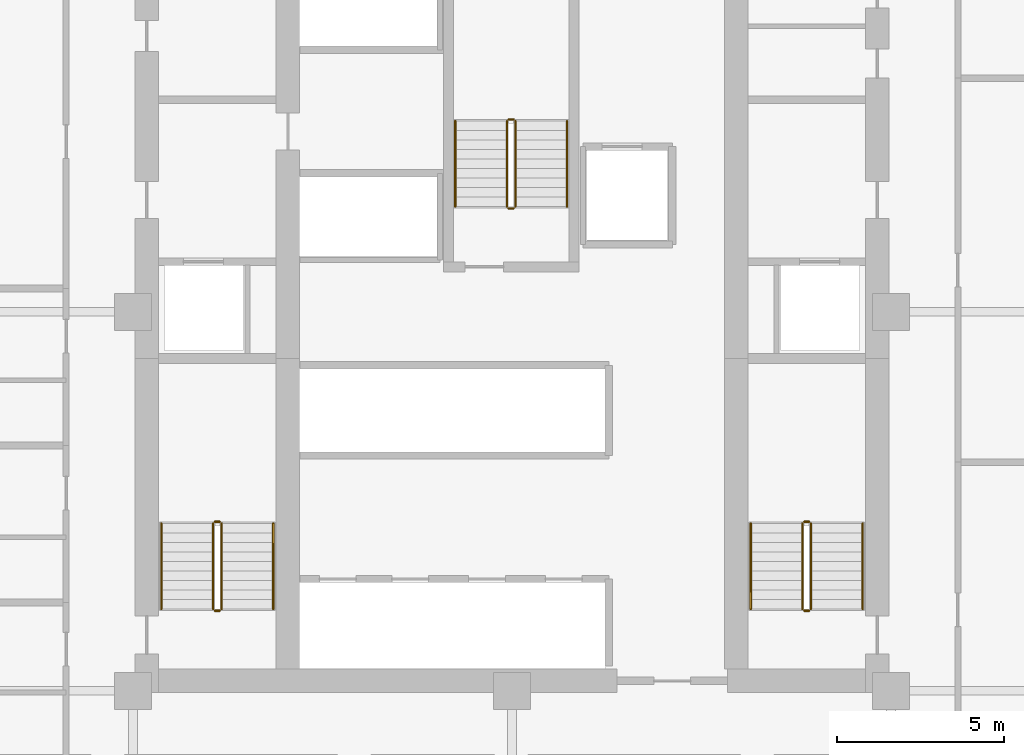
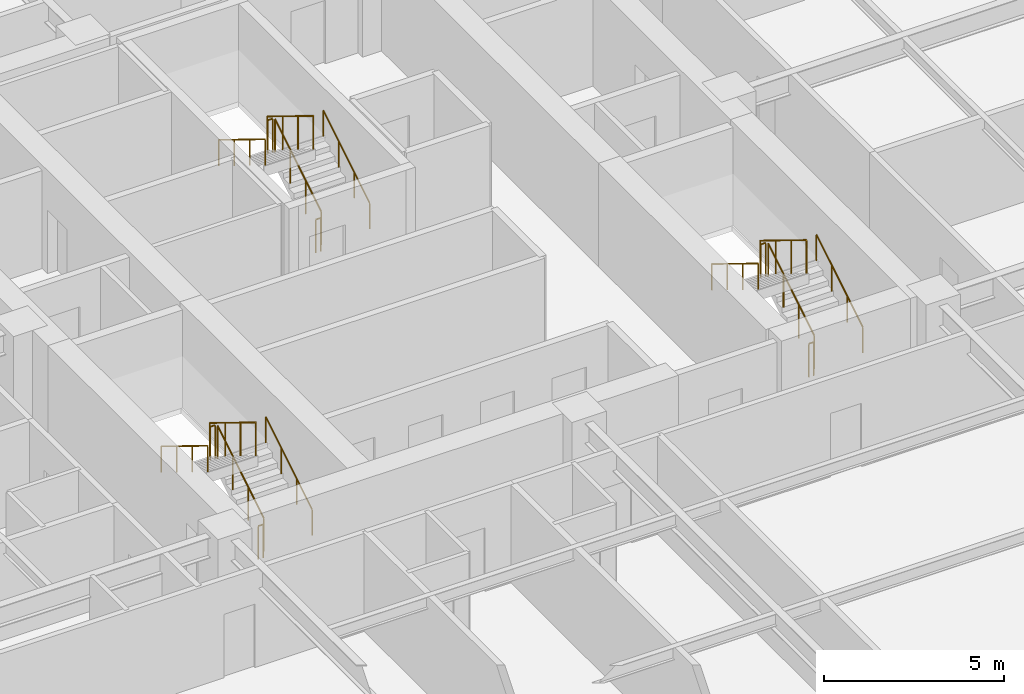
# One storey, part 7 of 7: 18 railings.
"""IFC4 building model written with IfcOpenShell, lengths in metres."""

from ifc_helpers import new_model, si_unit, direction, frame, origin, origin_2d, place, context, subcontext, project, spatial, circle, extrude, material, type_object, element, save


model = new_model("IFC4")

# Units and contexts
model_context = context("Model", 3, precision=1e-05, world=origin(), true_north=direction((0.0, 1.0)))
body_context = subcontext(model_context, "Body", "Model", "MODEL_VIEW")
ifc_project = project(units=[si_unit("LENGTHUNIT", "METRE"), si_unit("AREAUNIT", "SQUARE_METRE"), si_unit("VOLUMEUNIT", "CUBIC_METRE"), si_unit("PLANEANGLEUNIT", "RADIAN"), si_unit("MASSUNIT", "GRAM", prefix="KILO")], contexts=[model_context])

# Site, building, storey
site_placement = place(None, origin())
site = spatial("IfcSite", under=ifc_project, at=site_placement, CompositionType="ELEMENT")
building_placement = place(site_placement, origin())
building = spatial("IfcBuilding", under=site, at=building_placement, Name="Nhamokura Convention Tower", CompositionType="ELEMENT")
storey_placement = place(building_placement, frame((0.0, 0.0, 59.85009765625)))
storey = spatial("IfcBuildingStorey", under=building, at=storey_placement, Name="L13", CompositionType="ELEMENT", Elevation=59.85009765625)

# Railings
ifc_material_1 = material(Name="Anodised bronze stainless steel", Category="steel")
railing_type_1 = type_object("IfcRailingType", Name="StairWallHandrail_900", PredefinedType="HANDRAIL", material=ifc_material_1)
railing_1_placement = place(storey_placement, frame((24.85009765625, 23.10009765625, 0.1748046875)))
element("IfcRailing", 1, at=railing_1_placement, inside=storey, type_object=railing_type_1, Name="L13 ST-01 stair handrail 1", PredefinedType="HANDRAIL", context=body_context, shape_type="SweptSolid", body=[
    extrude(circle(Radius=0.02392578125, at=origin_2d()), frame((0.0, 0.0, 0.8759765625), z_axis=(0.0, 0.85213695991, 0.523318833556), x_axis=(-1.0, 0.0, 0.0)), (0.0, 0.0, 1.0), 3.010009765625),
    extrude(circle(Radius=0.02099609375, at=origin_2d()), origin(), (0.0, 0.0, 1.0), 0.851806640625),
    extrude(circle(Radius=0.02099609375, at=origin_2d()), frame((0.0, 0.85498046875, 0.525146484375)), (0.0, 0.0, 1.0), 0.851806640625),
    extrude(circle(Radius=0.02099609375, at=origin_2d()), frame((0.0, 1.7099609375, 1.050048828125)), (0.0, 0.0, 1.0), 0.851806640625),
    extrude(circle(Radius=0.02099609375, at=origin_2d()), frame((0.0, 2.56494140625, 1.5751953125)), (0.0, 0.0, 1.0), 0.851806640625),
])
railing_2_placement = place(storey_placement, frame((21.5, 25.6650390625, 1.9248046875)))
element("IfcRailing", 2, at=railing_2_placement, inside=storey, type_object=railing_type_1, Name="L13 ST-01 stair handrail 2", PredefinedType="HANDRAIL", context=body_context, shape_type="SweptSolid", body=[
    extrude(circle(Radius=0.02392578125, at=origin_2d()), frame((0.0, 0.0, 0.8759765625), z_axis=(0.0, -0.85213695991, 0.523318833556), x_axis=(1.0, 0.0, 0.0)), (0.0, 0.0, 1.0), 3.010009765625),
    extrude(circle(Radius=0.02099609375, at=origin_2d()), origin(), (0.0, 0.0, 1.0), 0.851806640625),
    extrude(circle(Radius=0.02099609375, at=origin_2d()), frame((0.0, -0.85498046875, 0.525146484375)), (0.0, 0.0, 1.0), 0.851806640625),
    extrude(circle(Radius=0.02099609375, at=origin_2d()), frame((0.0, -1.7099609375, 1.050048828125)), (0.0, 0.0, 1.0), 0.851806640625),
    extrude(circle(Radius=0.02099609375, at=origin_2d()), frame((0.0, -2.56494140625, 1.5751953125)), (0.0, 0.0, 1.0), 0.851806640625),
])
railing_3_placement = place(storey_placement, frame((42.5, 23.10009765625, 0.1748046875)))
element("IfcRailing", 3, at=railing_3_placement, inside=storey, type_object=railing_type_1, Name="L13 ST-02 stair handrail 1", PredefinedType="HANDRAIL", context=body_context, shape_type="SweptSolid", body=[
    extrude(circle(Radius=0.02392578125, at=origin_2d()), frame((0.0, 0.0, 0.8759765625), z_axis=(0.0, 0.85213695991, 0.523318833556), x_axis=(-1.0, 0.0, 0.0)), (0.0, 0.0, 1.0), 3.010009765625),
    extrude(circle(Radius=0.02099609375, at=origin_2d()), origin(), (0.0, 0.0, 1.0), 0.851806640625),
    extrude(circle(Radius=0.02099609375, at=origin_2d()), frame((0.0, 0.85498046875, 0.525146484375)), (0.0, 0.0, 1.0), 0.851806640625),
    extrude(circle(Radius=0.02099609375, at=origin_2d()), frame((0.0, 1.7099609375, 1.050048828125)), (0.0, 0.0, 1.0), 0.851806640625),
    extrude(circle(Radius=0.02099609375, at=origin_2d()), frame((0.0, 2.56494140625, 1.5751953125)), (0.0, 0.0, 1.0), 0.851806640625),
])
railing_4_placement = place(storey_placement, frame((39.14990234375, 25.6650390625, 1.9248046875)))
element("IfcRailing", 4, at=railing_4_placement, inside=storey, type_object=railing_type_1, Name="L13 ST-02 stair handrail 2", PredefinedType="HANDRAIL", context=body_context, shape_type="SweptSolid", body=[
    extrude(circle(Radius=0.02392578125, at=origin_2d()), frame((0.0, 0.0, 0.8759765625), z_axis=(0.0, -0.85213695991, 0.523318833556), x_axis=(1.0, 0.0, 0.0)), (0.0, 0.0, 1.0), 3.010009765625),
    extrude(circle(Radius=0.02099609375, at=origin_2d()), origin(), (0.0, 0.0, 1.0), 0.851806640625),
    extrude(circle(Radius=0.02099609375, at=origin_2d()), frame((0.0, -0.85498046875, 0.525146484375)), (0.0, 0.0, 1.0), 0.851806640625),
    extrude(circle(Radius=0.02099609375, at=origin_2d()), frame((0.0, -1.7099609375, 1.050048828125)), (0.0, 0.0, 1.0), 0.851806640625),
    extrude(circle(Radius=0.02099609375, at=origin_2d()), frame((0.0, -2.56494140625, 1.5751953125)), (0.0, 0.0, 1.0), 0.851806640625),
])
railing_5_placement = place(storey_placement, frame((33.64990234375, 35.14990234375, 0.1748046875)))
element("IfcRailing", 5, at=railing_5_placement, inside=storey, type_object=railing_type_1, Name="L13 ST-03 stair handrail 1", PredefinedType="HANDRAIL", context=body_context, shape_type="SweptSolid", body=[
    extrude(circle(Radius=0.02392578125, at=origin_2d()), frame((0.0, 0.0, 0.8759765625), z_axis=(0.0, 0.852159170481, 0.523282665646), x_axis=(-1.0, 0.0, 0.0)), (0.0, 0.0, 1.0), 3.01025390625),
    extrude(circle(Radius=0.02099609375, at=origin_2d()), origin(), (0.0, 0.0, 1.0), 0.851806640625),
    extrude(circle(Radius=0.02099609375, at=origin_2d()), frame((0.0, 0.85498046875, 0.525146484375)), (0.0, 0.0, 1.0), 0.851806640625),
    extrude(circle(Radius=0.02099609375, at=origin_2d()), frame((0.0, 1.710205078125, 1.050048828125)), (0.0, 0.0, 1.0), 0.851806640625),
    extrude(circle(Radius=0.02099609375, at=origin_2d()), frame((0.0, 2.565185546875, 1.5751953125)), (0.0, 0.0, 1.0), 0.851806640625),
])
railing_6_placement = place(storey_placement, frame((30.300048828125, 37.715087890625, 1.9248046875)))
element("IfcRailing", 6, at=railing_6_placement, inside=storey, type_object=railing_type_1, Name="L13 ST-03 stair handrail 2", PredefinedType="HANDRAIL", context=body_context, shape_type="SweptSolid", body=[
    extrude(circle(Radius=0.02392578125, at=origin_2d()), frame((0.0, 0.0, 0.8759765625), z_axis=(0.0, -0.852159170481, 0.523282665646), x_axis=(1.0, 0.0, 0.0)), (0.0, 0.0, 1.0), 3.01025390625),
    extrude(circle(Radius=0.02099609375, at=origin_2d()), origin(), (0.0, 0.0, 1.0), 0.851806640625),
    extrude(circle(Radius=0.02099609375, at=origin_2d()), frame((0.0, -0.85498046875, 0.525146484375)), (0.0, 0.0, 1.0), 0.851806640625),
    extrude(circle(Radius=0.02099609375, at=origin_2d()), frame((0.0, -1.710205078125, 1.050048828125)), (0.0, 0.0, 1.0), 0.851806640625),
    extrude(circle(Radius=0.02099609375, at=origin_2d()), frame((0.0, -2.565185546875, 1.5751953125)), (0.0, 0.0, 1.0), 0.851806640625),
])
ifc_material_2 = material(Name="Painted tubular steel", Category="steel")
railing_type_2 = type_object("IfcRailingType", Name="StairWellGuardrail_1150", PredefinedType="GUARDRAIL", material=ifc_material_2)
railing_7_placement = place(storey_placement, frame((23.300048828125, 23.10009765625, 0.1748046875)))
element("IfcRailing", 7, at=railing_7_placement, inside=storey, type_object=railing_type_2, Name="L13 ST-01 stair guard 1", PredefinedType="GUARDRAIL", context=body_context, shape_type="SweptSolid", body=[
    extrude(circle(Radius=0.02392578125, at=origin_2d()), frame((0.0, 0.0, 1.1259765625), z_axis=(0.0, 0.85213695991, 0.523318833556), x_axis=(-1.0, 0.0, 0.0)), (0.0, 0.0, 1.0), 3.010009765625),
    extrude(circle(Radius=0.02099609375, at=origin_2d()), origin(), (0.0, 0.0, 1.0), 1.101806640625),
    extrude(circle(Radius=0.02099609375, at=origin_2d()), frame((0.0, 0.85498046875, 0.525146484375)), (0.0, 0.0, 1.0), 1.101806640625),
    extrude(circle(Radius=0.02099609375, at=origin_2d()), frame((0.0, 1.7099609375, 1.050048828125)), (0.0, 0.0, 1.0), 1.101806640625),
    extrude(circle(Radius=0.02099609375, at=origin_2d()), frame((0.0, 2.56494140625, 1.5751953125)), (0.0, 0.0, 1.0), 1.101806640625),
])
railing_8_placement = place(storey_placement, frame((23.25, 25.715087890625, 1.75)))
element("IfcRailing", 8, at=railing_8_placement, inside=storey, type_object=railing_type_2, Name="L13 ST-01 stair guard 2", PredefinedType="GUARDRAIL", context=body_context, shape_type="SweptSolid", body=[
    extrude(circle(Radius=0.02392578125, at=origin_2d()), frame((0.0, 0.0, 1.1259765625), z_axis=(-1.0, 0.0, 0.0), x_axis=(0.0, -1.0, 0.0)), (0.0, 0.0, 1.0), 0.14990234375),
    extrude(circle(Radius=0.02099609375, at=origin_2d()), origin(), (0.0, 0.0, 1.0), 1.101806640625),
    extrude(circle(Radius=0.02099609375, at=origin_2d()), frame((-0.14990234375, 0.0, 0.0)), (0.0, 0.0, 1.0), 1.101806640625),
])
railing_9_placement = place(storey_placement, frame((23.050048828125, 25.6650390625, 1.9248046875)))
element("IfcRailing", 9, at=railing_9_placement, inside=storey, type_object=railing_type_2, Name="L13 ST-01 stair guard 3", PredefinedType="GUARDRAIL", context=body_context, shape_type="SweptSolid", body=[
    extrude(circle(Radius=0.02392578125, at=origin_2d()), frame((0.0, 0.0, 1.1259765625), z_axis=(0.0, -0.85213695991, 0.523318833556), x_axis=(1.0, 0.0, 0.0)), (0.0, 0.0, 1.0), 3.010009765625),
    extrude(circle(Radius=0.02099609375, at=origin_2d()), origin(), (0.0, 0.0, 1.0), 1.101806640625),
    extrude(circle(Radius=0.02099609375, at=origin_2d()), frame((0.0, -0.85498046875, 0.525146484375)), (0.0, 0.0, 1.0), 1.101806640625),
    extrude(circle(Radius=0.02099609375, at=origin_2d()), frame((0.0, -1.7099609375, 1.050048828125)), (0.0, 0.0, 1.0), 1.101806640625),
    extrude(circle(Radius=0.02099609375, at=origin_2d()), frame((0.0, -2.56494140625, 1.5751953125)), (0.0, 0.0, 1.0), 1.101806640625),
])
railing_10_placement = place(storey_placement, frame((23.25, 23.050048828125, 0.0)))
element("IfcRailing", 10, at=railing_10_placement, inside=storey, type_object=railing_type_2, Name="L13 ST-01 stair guard 4", PredefinedType="GUARDRAIL", context=body_context, shape_type="SweptSolid", body=[
    extrude(circle(Radius=0.02392578125, at=origin_2d()), frame((0.0, 0.0, 1.1259765625), z_axis=(-1.0, 0.0, 0.0), x_axis=(0.0, -1.0, 0.0)), (0.0, 0.0, 1.0), 0.14990234375),
    extrude(circle(Radius=0.02099609375, at=origin_2d()), origin(), (0.0, 0.0, 1.0), 1.101806640625),
    extrude(circle(Radius=0.02099609375, at=origin_2d()), frame((-0.14990234375, 0.0, 0.0)), (0.0, 0.0, 1.0), 1.101806640625),
])
railing_11_placement = place(storey_placement, frame((40.949951171875, 23.10009765625, 0.1748046875)))
element("IfcRailing", 11, at=railing_11_placement, inside=storey, type_object=railing_type_2, Name="L13 ST-02 stair guard 1", PredefinedType="GUARDRAIL", context=body_context, shape_type="SweptSolid", body=[
    extrude(circle(Radius=0.02392578125, at=origin_2d()), frame((0.0, 0.0, 1.1259765625), z_axis=(0.0, 0.85213695991, 0.523318833556), x_axis=(-1.0, 0.0, 0.0)), (0.0, 0.0, 1.0), 3.010009765625),
    extrude(circle(Radius=0.02099609375, at=origin_2d()), origin(), (0.0, 0.0, 1.0), 1.101806640625),
    extrude(circle(Radius=0.02099609375, at=origin_2d()), frame((0.0, 0.85498046875, 0.525146484375)), (0.0, 0.0, 1.0), 1.101806640625),
    extrude(circle(Radius=0.02099609375, at=origin_2d()), frame((0.0, 1.7099609375, 1.050048828125)), (0.0, 0.0, 1.0), 1.101806640625),
    extrude(circle(Radius=0.02099609375, at=origin_2d()), frame((0.0, 2.56494140625, 1.5751953125)), (0.0, 0.0, 1.0), 1.101806640625),
])
railing_12_placement = place(storey_placement, frame((40.89990234375, 25.715087890625, 1.75)))
element("IfcRailing", 12, at=railing_12_placement, inside=storey, type_object=railing_type_2, Name="L13 ST-02 stair guard 2", PredefinedType="GUARDRAIL", context=body_context, shape_type="SweptSolid", body=[
    extrude(circle(Radius=0.02392578125, at=origin_2d()), frame((0.0, 0.0, 1.1259765625), z_axis=(-1.0, 0.0, 0.0), x_axis=(0.0, -1.0, 0.0)), (0.0, 0.0, 1.0), 0.14990234375),
    extrude(circle(Radius=0.02099609375, at=origin_2d()), origin(), (0.0, 0.0, 1.0), 1.101806640625),
    extrude(circle(Radius=0.02099609375, at=origin_2d()), frame((-0.14990234375, 0.0, 0.0)), (0.0, 0.0, 1.0), 1.101806640625),
])
railing_13_placement = place(storey_placement, frame((40.699951171875, 25.6650390625, 1.9248046875)))
element("IfcRailing", 13, at=railing_13_placement, inside=storey, type_object=railing_type_2, Name="L13 ST-02 stair guard 3", PredefinedType="GUARDRAIL", context=body_context, shape_type="SweptSolid", body=[
    extrude(circle(Radius=0.02392578125, at=origin_2d()), frame((0.0, 0.0, 1.1259765625), z_axis=(0.0, -0.85213695991, 0.523318833556), x_axis=(1.0, 0.0, 0.0)), (0.0, 0.0, 1.0), 3.010009765625),
    extrude(circle(Radius=0.02099609375, at=origin_2d()), origin(), (0.0, 0.0, 1.0), 1.101806640625),
    extrude(circle(Radius=0.02099609375, at=origin_2d()), frame((0.0, -0.85498046875, 0.525146484375)), (0.0, 0.0, 1.0), 1.101806640625),
    extrude(circle(Radius=0.02099609375, at=origin_2d()), frame((0.0, -1.7099609375, 1.050048828125)), (0.0, 0.0, 1.0), 1.101806640625),
    extrude(circle(Radius=0.02099609375, at=origin_2d()), frame((0.0, -2.56494140625, 1.5751953125)), (0.0, 0.0, 1.0), 1.101806640625),
])
railing_14_placement = place(storey_placement, frame((40.89990234375, 23.050048828125, 0.0)))
element("IfcRailing", 14, at=railing_14_placement, inside=storey, type_object=railing_type_2, Name="L13 ST-02 stair guard 4", PredefinedType="GUARDRAIL", context=body_context, shape_type="SweptSolid", body=[
    extrude(circle(Radius=0.02392578125, at=origin_2d()), frame((0.0, 0.0, 1.1259765625), z_axis=(-1.0, 0.0, 0.0), x_axis=(0.0, -1.0, 0.0)), (0.0, 0.0, 1.0), 0.14990234375),
    extrude(circle(Radius=0.02099609375, at=origin_2d()), origin(), (0.0, 0.0, 1.0), 1.101806640625),
    extrude(circle(Radius=0.02099609375, at=origin_2d()), frame((-0.14990234375, 0.0, 0.0)), (0.0, 0.0, 1.0), 1.101806640625),
])
railing_15_placement = place(storey_placement, frame((32.10009765625, 35.14990234375, 0.1748046875)))
element("IfcRailing", 15, at=railing_15_placement, inside=storey, type_object=railing_type_2, Name="L13 ST-03 stair guard 1", PredefinedType="GUARDRAIL", context=body_context, shape_type="SweptSolid", body=[
    extrude(circle(Radius=0.02392578125, at=origin_2d()), frame((0.0, 0.0, 1.1259765625), z_axis=(0.0, 0.852159170481, 0.523282665646), x_axis=(-1.0, 0.0, 0.0)), (0.0, 0.0, 1.0), 3.01025390625),
    extrude(circle(Radius=0.02099609375, at=origin_2d()), origin(), (0.0, 0.0, 1.0), 1.101806640625),
    extrude(circle(Radius=0.02099609375, at=origin_2d()), frame((0.0, 0.85498046875, 0.525146484375)), (0.0, 0.0, 1.0), 1.101806640625),
    extrude(circle(Radius=0.02099609375, at=origin_2d()), frame((0.0, 1.710205078125, 1.050048828125)), (0.0, 0.0, 1.0), 1.101806640625),
    extrude(circle(Radius=0.02099609375, at=origin_2d()), frame((0.0, 2.565185546875, 1.5751953125)), (0.0, 0.0, 1.0), 1.101806640625),
])
railing_16_placement = place(storey_placement, frame((32.050048828125, 37.764892578125, 1.75)))
element("IfcRailing", 16, at=railing_16_placement, inside=storey, type_object=railing_type_2, Name="L13 ST-03 stair guard 2", PredefinedType="GUARDRAIL", context=body_context, shape_type="SweptSolid", body=[
    extrude(circle(Radius=0.02392578125, at=origin_2d()), frame((0.0, 0.0, 1.1259765625), z_axis=(-1.0, 0.0, 0.0), x_axis=(0.0, -1.0, 0.0)), (0.0, 0.0, 1.0), 0.150146484375),
    extrude(circle(Radius=0.02099609375, at=origin_2d()), origin(), (0.0, 0.0, 1.0), 1.101806640625),
    extrude(circle(Radius=0.02099609375, at=origin_2d()), frame((-0.150146484375, 0.0, 0.0)), (0.0, 0.0, 1.0), 1.101806640625),
])
railing_17_placement = place(storey_placement, frame((31.85009765625, 37.715087890625, 1.9248046875)))
element("IfcRailing", 17, at=railing_17_placement, inside=storey, type_object=railing_type_2, Name="L13 ST-03 stair guard 3", PredefinedType="GUARDRAIL", context=body_context, shape_type="SweptSolid", body=[
    extrude(circle(Radius=0.02392578125, at=origin_2d()), frame((0.0, 0.0, 1.1259765625), z_axis=(0.0, -0.852159170481, 0.523282665646), x_axis=(1.0, 0.0, 0.0)), (0.0, 0.0, 1.0), 3.01025390625),
    extrude(circle(Radius=0.02099609375, at=origin_2d()), origin(), (0.0, 0.0, 1.0), 1.101806640625),
    extrude(circle(Radius=0.02099609375, at=origin_2d()), frame((0.0, -0.85498046875, 0.525146484375)), (0.0, 0.0, 1.0), 1.101806640625),
    extrude(circle(Radius=0.02099609375, at=origin_2d()), frame((0.0, -1.710205078125, 1.050048828125)), (0.0, 0.0, 1.0), 1.101806640625),
    extrude(circle(Radius=0.02099609375, at=origin_2d()), frame((0.0, -2.565185546875, 1.5751953125)), (0.0, 0.0, 1.0), 1.101806640625),
])
railing_18_placement = place(storey_placement, frame((32.050048828125, 35.10009765625, 0.0)))
element("IfcRailing", 18, at=railing_18_placement, inside=storey, type_object=railing_type_2, Name="L13 ST-03 stair guard 4", PredefinedType="GUARDRAIL", context=body_context, shape_type="SweptSolid", body=[
    extrude(circle(Radius=0.02392578125, at=origin_2d()), frame((0.0, 0.0, 1.1259765625), z_axis=(-1.0, 0.0, 0.0), x_axis=(0.0, -1.0, 0.0)), (0.0, 0.0, 1.0), 0.150146484375),
    extrude(circle(Radius=0.02099609375, at=origin_2d()), origin(), (0.0, 0.0, 1.0), 1.101806640625),
    extrude(circle(Radius=0.02099609375, at=origin_2d()), frame((-0.150146484375, 0.0, 0.0)), (0.0, 0.0, 1.0), 1.101806640625),
])

save(model, "model.ifc")
